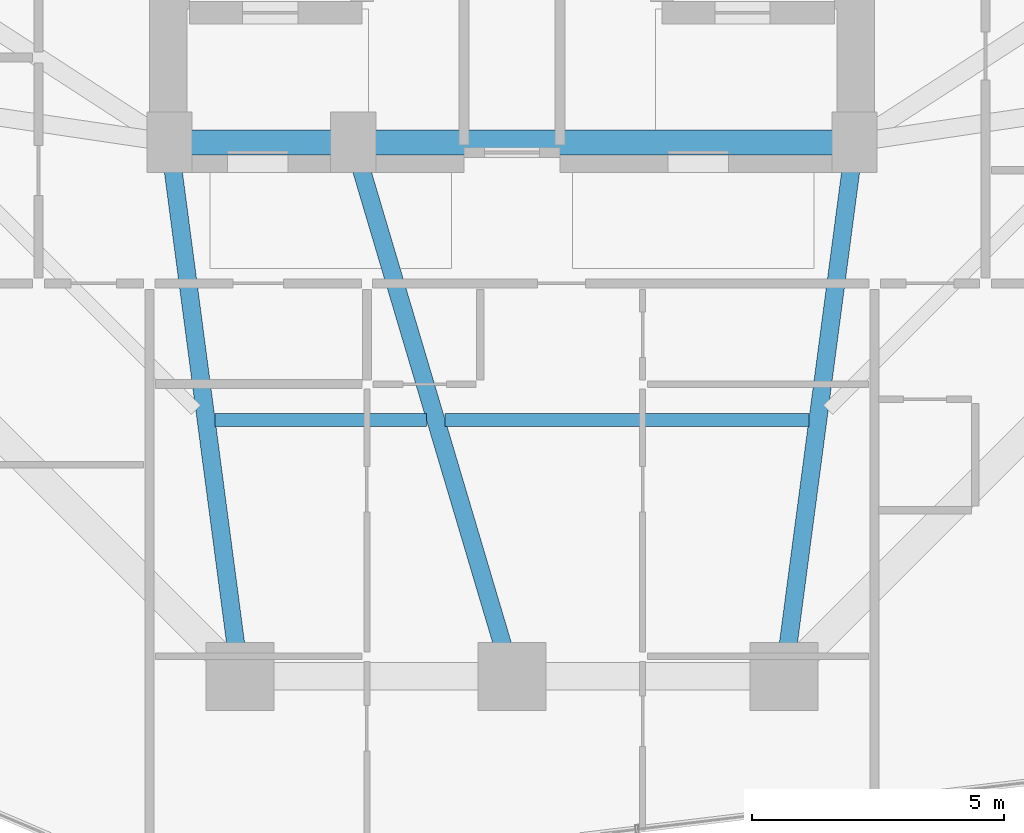
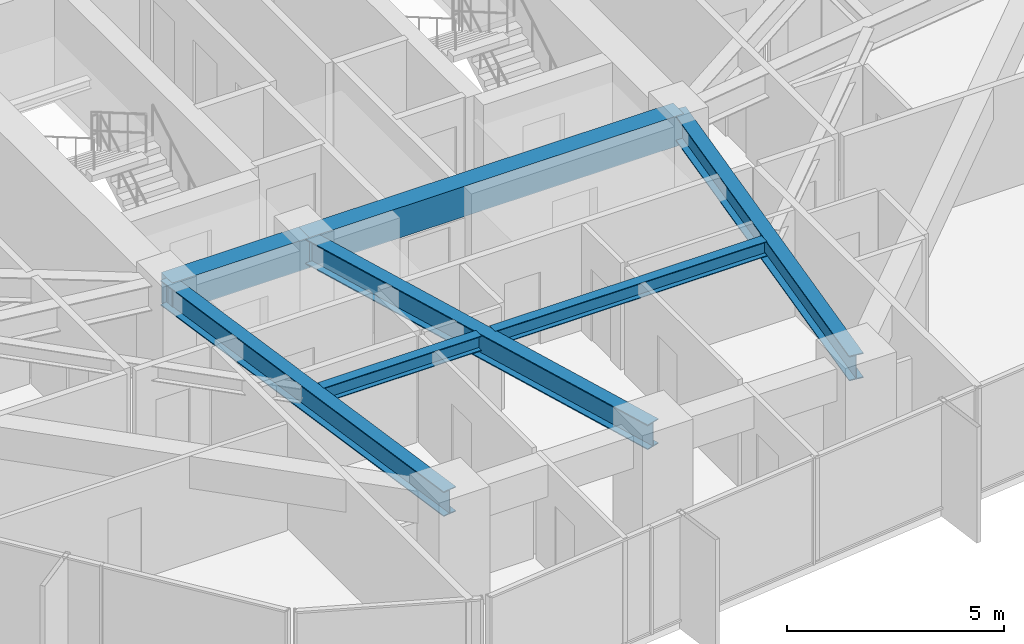
# One storey, part 9 of 37: 7 beams.
"""IFC4 building model written with IfcOpenShell, lengths in metres."""

from ifc_helpers import new_model, si_unit, direction, frame, origin, origin_2d, place, context, subcontext, project, spatial, rectangle, i_section, extrude, material, material_profile, profile_set, type_object, element, save


model = new_model("IFC4")

# Units and contexts
model_context = context("Model", 3, precision=1e-05, world=origin(), true_north=direction((0.0, 1.0)))
body_context = subcontext(model_context, "Body", "Model", "MODEL_VIEW")
ifc_project = project(units=[si_unit("LENGTHUNIT", "METRE"), si_unit("AREAUNIT", "SQUARE_METRE"), si_unit("VOLUMEUNIT", "CUBIC_METRE"), si_unit("PLANEANGLEUNIT", "RADIAN"), si_unit("MASSUNIT", "GRAM", prefix="KILO")], contexts=[model_context])

# Site, building, storey
site_placement = place(None, origin())
site = spatial("IfcSite", under=ifc_project, at=site_placement, CompositionType="ELEMENT")
building_placement = place(site_placement, origin())
building = spatial("IfcBuilding", under=site, at=building_placement, Name="Veraguas Prism Commons", CompositionType="ELEMENT")
storey_placement = place(building_placement, frame((0.0, 0.0, 46.800048828125)))
storey = spatial("IfcBuildingStorey", under=building, at=storey_placement, Name="L12", CompositionType="ELEMENT", Elevation=46.800048828125)

# Beams
ifc_material_1 = material(Name="Concrete C50/60", Category="concrete")
ifc_material_profile_1 = material_profile(ifc_material_1, rectangle(XDim=0.5, YDim=0.85009765625, at=origin_2d()), Name="RC500X850")
ifc_profile_set_1 = profile_set([ifc_material_profile_1], Name="Concrete C50/60")
beam_type_1 = type_object("IfcBeamType", Name="Core Coupling Beam RC 500x850", PredefinedType="BEAM", material=ifc_profile_set_1)
beam_1_placement = place(storey_placement, frame((17.199951171875, 17.0, 2.574951171875), z_axis=(1.0, 0.0, 0.0), x_axis=(0.0, 1.0, 0.0)))
element("IfcBeam", 1, at=beam_1_placement, inside=storey, type_object=beam_type_1, Name="Core Coupling Beam L12-CRS1", PredefinedType="BEAM", context=body_context, shape_type="SweptSolid", body=[
    extrude(rectangle(XDim=0.5, YDim=0.85009765625, at=origin_2d()), origin(), (0.0, 0.0, 1.0), 3.650146484375),
])
beam_2_placement = place(storey_placement, frame((20.85009765625, 17.0, 2.574951171875), z_axis=(1.0, 0.0, 0.0), x_axis=(0.0, 1.0, 0.0)))
element("IfcBeam", 2, at=beam_2_placement, inside=storey, type_object=beam_type_1, Name="Core Coupling Beam L12-CRS2", PredefinedType="BEAM", context=body_context, shape_type="SweptSolid", body=[
    extrude(rectangle(XDim=0.5, YDim=0.85009765625, at=origin_2d()), origin(), (0.0, 0.0, 1.0), 9.949951171875),
])
ifc_material_2 = material(Name="Steel ASTM A992 Grade 50", Category="steel")
ifc_material_profile_2 = material_profile(ifc_material_2, i_section(OverallWidth=0.260986328125, OverallDepth=0.419921875, WebThickness=0.01171875, FlangeThickness=0.019287109375, at=origin_2d()), Name="W410X114")
ifc_profile_set_2 = profile_set([ifc_material_profile_2], Name="Steel ASTM A992 Grade 50")
beam_type_2 = type_object("IfcBeamType", Name="Lower Floor Joist W410x114", PredefinedType="JOIST", material=ifc_profile_set_2)
beam_3_placement = place(storey_placement, frame((18.10546875, 11.488037109375, 2.7900390625), z_axis=(1.0, 0.0, 0.0), x_axis=(0.0, 1.0, 0.0)))
element("IfcBeam", 3, at=beam_3_placement, inside=storey, type_object=beam_type_2, Name="Composite Floor Joist L12-JS10", PredefinedType="JOIST", context=body_context, shape_type="SweptSolid", body=[
    extrude(i_section(OverallWidth=0.260986328125, OverallDepth=0.419921875, WebThickness=0.01171875, FlangeThickness=0.019287109375, at=origin_2d()), origin(), (0.0, 0.0, 1.0), 4.198974609375),
])
beam_4_placement = place(storey_placement, frame((22.671630859375, 11.488037109375, 2.7900390625), z_axis=(1.0, 0.0, 0.0), x_axis=(0.0, 1.0, 0.0)))
element("IfcBeam", 4, at=beam_4_placement, inside=storey, type_object=beam_type_2, Name="Composite Floor Joist L12-JS11", PredefinedType="JOIST", context=body_context, shape_type="SweptSolid", body=[
    extrude(i_section(OverallWidth=0.260986328125, OverallDepth=0.419921875, WebThickness=0.01171875, FlangeThickness=0.019287109375, at=origin_2d()), origin(), (0.0, 0.0, 1.0), 7.222900390625),
])
ifc_material_profile_3 = material_profile(ifc_material_2, i_section(OverallWidth=0.35595703125, OverallDepth=0.700927734375, WebThickness=0.016845703125, FlangeThickness=0.02734375, at=origin_2d()), Name="W690X240")
ifc_profile_set_3 = profile_set([ifc_material_profile_3], Name="Steel ASTM A992 Grade 50")
beam_type_3 = type_object("IfcBeamType", Name="Zone 1 Radial Girder W690x240", PredefinedType="BEAM", material=ifc_profile_set_3)
beam_5_placement = place(storey_placement, frame((18.60009765625, 6.39990234375, 2.6494140625), z_axis=(-0.130950648891, 0.991388888154, 0.0), x_axis=(-0.991388888154, -0.130950648891, 0.0)))
element("IfcBeam", 5, at=beam_5_placement, inside=storey, type_object=beam_type_3, Name="Radial Floor Girder L12-RD10", PredefinedType="BEAM", context=body_context, shape_type="SweptSolid", body=[
    extrude(i_section(OverallWidth=0.35595703125, OverallDepth=0.700927734375, WebThickness=0.016845703125, FlangeThickness=0.02734375, at=origin_2d()), origin(), (0.0, 0.0, 1.0), 10.692138671875),
])
beam_6_placement = place(storey_placement, frame((24.0, 6.39990234375, 2.6494140625), z_axis=(-0.28484745997, 0.958572858237, 0.0), x_axis=(-0.958572858237, -0.28484745997, 0.0)))
element("IfcBeam", 6, at=beam_6_placement, inside=storey, type_object=beam_type_3, Name="Radial Floor Girder L12-RD11", PredefinedType="BEAM", context=body_context, shape_type="SweptSolid", body=[
    extrude(i_section(OverallWidth=0.35595703125, OverallDepth=0.700927734375, WebThickness=0.016845703125, FlangeThickness=0.02734375, at=origin_2d()), origin(), (0.0, 0.0, 1.0), 11.05810546875),
])
beam_7_placement = place(storey_placement, frame((29.39990234375, 6.39990234375, 2.6494140625), z_axis=(0.130950648891, 0.991388888154, 0.0), x_axis=(-0.991388888154, 0.130950648891, 0.0)))
element("IfcBeam", 7, at=beam_7_placement, inside=storey, type_object=beam_type_3, Name="Radial Floor Girder L12-RD12", PredefinedType="BEAM", context=body_context, shape_type="SweptSolid", body=[
    extrude(i_section(OverallWidth=0.35595703125, OverallDepth=0.700927734375, WebThickness=0.016845703125, FlangeThickness=0.02734375, at=origin_2d()), origin(), (0.0, 0.0, 1.0), 10.692138671875),
])

save(model, "model.ifc")
